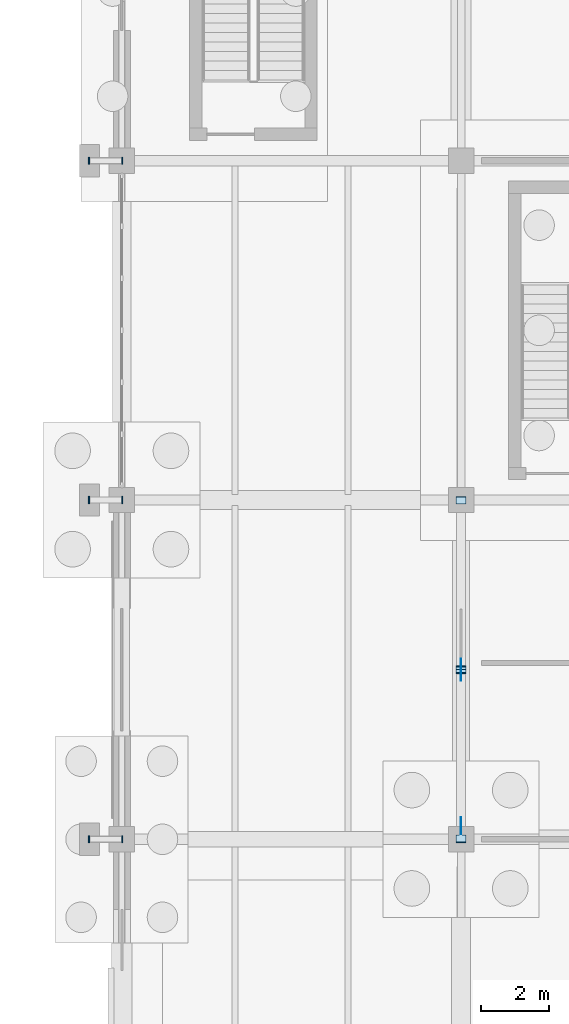
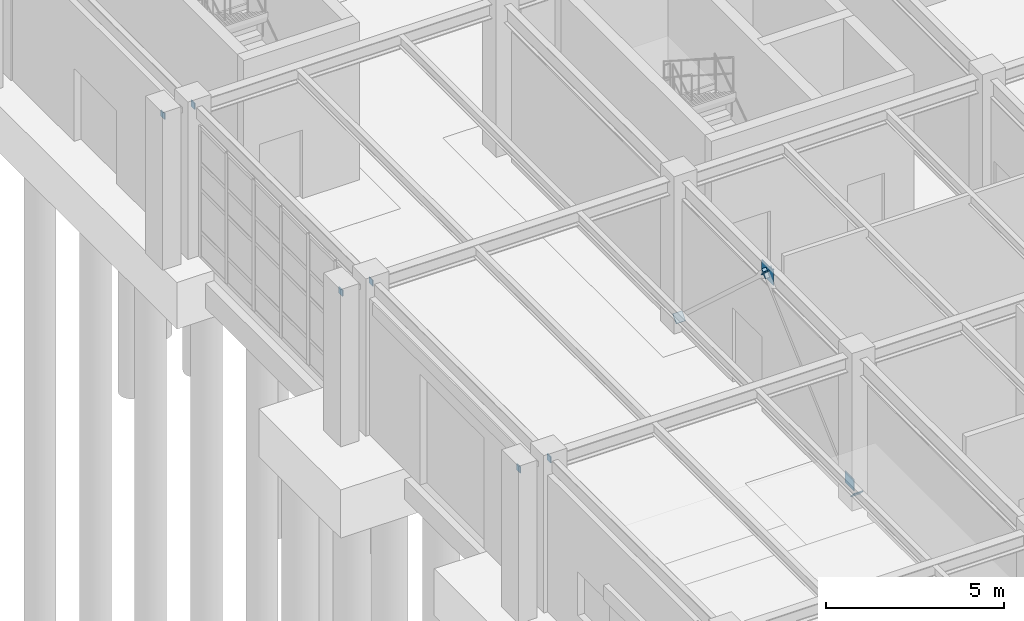
# One storey, part 103 of 145: 12 plates.
"""IFC4 building model written with IfcOpenShell, lengths in metres."""

from ifc_helpers import new_model, si_unit, direction, frame, origin, origin_2d, place, context, subcontext, project, spatial, rectangle, extrude, material, layer, layer_set, type_object, element, save


model = new_model("IFC4")

# Units and contexts
model_context = context("Model", 3, precision=1e-05, world=origin(), true_north=direction((0.0, 1.0)))
body_context = subcontext(model_context, "Body", "Model", "MODEL_VIEW")
ifc_project = project(units=[si_unit("LENGTHUNIT", "METRE"), si_unit("AREAUNIT", "SQUARE_METRE"), si_unit("VOLUMEUNIT", "CUBIC_METRE"), si_unit("PLANEANGLEUNIT", "RADIAN"), si_unit("MASSUNIT", "GRAM", prefix="KILO"), si_unit("THERMODYNAMICTEMPERATUREUNIT", "KELVIN"), si_unit("POWERUNIT", "WATT")], contexts=[model_context])

# Site, building, storey
site_placement = place(None, origin())
site = spatial("IfcSite", under=ifc_project, at=site_placement, CompositionType="ELEMENT")
building_placement = place(site_placement, origin())
building = spatial("IfcBuilding", under=site, at=building_placement, Name="Korenveer Ferry Terminal", CompositionType="ELEMENT")
storey_placement = place(building_placement, origin())
storey = spatial("IfcBuildingStorey", under=building, at=storey_placement, Name="L00", CompositionType="ELEMENT", Elevation=0.0)

# Plates
ifc_material = material(Name="Steel S355", Category="steel")
ifc_layer_1 = layer(ifc_material, 0.031982421875)
ifc_layer_set_1 = layer_set([ifc_layer_1], Name="Steel S355")
plate_type_1 = type_object("IfcPlateType", Name="STR-PLT-CAP32", PredefinedType="USERDEFINED", material=ifc_layer_set_1)
for number, where, z_axis, x_axis, name in (
    (1, (-0.98193359375, 40.0, 4.949951171875), (1.0, 0.0, 0.0), (0.0, 1.0, 0.0), "Hollow section end cap 89"),
    (2, (0.0, 40.0, 4.949951171875), (1.0, 0.0, 0.0), (0.0, 1.0, 0.0), "Hollow section end cap 90"),
    (3, (-0.98193359375, 50.0, 4.949951171875), (1.0, 0.0, 0.0), (0.0, 1.0, 0.0), "Hollow section end cap 95"),
    (4, (0.0, 50.0, 4.949951171875), (1.0, 0.0, 0.0), (0.0, 1.0, 0.0), "Hollow section end cap 96"),
    (5, (-0.98193359375, 60.0, 4.949951171875), (1.0, 0.0, 0.0), (0.0, 1.0, 0.0), "Hollow section end cap 101"),
    (6, (0.0, 60.0, 4.949951171875), (1.0, 0.0, 0.0), (0.0, 1.0, 0.0), "Hollow section end cap 102"),
):
    element("IfcPlate", number, at=place(storey_placement, frame(where, z_axis=z_axis, x_axis=x_axis)), inside=storey, type_object=plate_type_1, Name=name, ObjectType="END CAP PLATE", PredefinedType="USERDEFINED", context=body_context, shape_type="SweptSolid", body=[
        extrude(rectangle(XDim=0.2099609375, YDim=0.2099609375, at=origin_2d()), origin(), (0.0, 0.0, 1.0), 0.031982421875),
    ])
for number, where, z_axis, x_axis, name in (
    (7, (10.0, 39.99658203125, 0.218505859375), (0.0, 0.737522875906, 0.675322150914), (-1.0, 0.0, 0.0), "Hollow section end cap 594"),
    (8, (10.0, 45.0, 4.800048828125), (0.0, 0.737522875906, 0.675322150914), (-1.0, 0.0, 0.0), "Hollow section end cap 595"),
    (9, (10.0, 44.9765625, 4.821533203125), (0.0, 0.737522875906, -0.675322150914), (-1.0, 0.0, 0.0), "Hollow section end cap 596"),
    (10, (10.0, 49.97998046875, 0.239990234375), (0.0, 0.737522875906, -0.675322150914), (-1.0, 0.0, 0.0), "Hollow section end cap 597"),
):
    element("IfcPlate", number, at=place(storey_placement, frame(where, z_axis=z_axis, x_axis=x_axis)), inside=storey, type_object=plate_type_1, Name=name, ObjectType="END CAP PLATE", PredefinedType="USERDEFINED", context=body_context, shape_type="SweptSolid", body=[
        extrude(rectangle(XDim=0.302978515625, YDim=0.302978515625, at=origin_2d()), origin(), (0.0, 0.0, 1.0), 0.031982421875),
    ])
ifc_layer_2 = layer(ifc_material, 0.02392578125)
ifc_layer_set_2 = layer_set([ifc_layer_2], Name="Steel S355")
plate_type_2 = type_object("IfcPlateType", Name="STR-PLT-GUS24", PredefinedType="USERDEFINED", material=ifc_layer_set_2)
plate_1_placement = place(storey_placement, frame((10.0, 45.0, 4.550048828125), z_axis=(0.0, 0.0, 1.0), x_axis=(1.0, 0.0, 0.0)))
element("IfcPlate", 11, at=plate_1_placement, inside=storey, type_object=plate_type_2, Name="Chevron brace apex gusset 11", ObjectType="GUSSET PLATE", PredefinedType="USERDEFINED", context=body_context, shape_type="SweptSolid", body=[
    extrude(rectangle(XDim=0.02392578125, YDim=0.64990234375, at=origin_2d()), origin(), (0.0, 0.0, 1.0), 0.5),
])
plate_2_placement = place(storey_placement, frame((10.0, 40.39990234375, 0.239990234375), z_axis=(0.0, 0.0, 1.0), x_axis=(1.0, 0.0, 0.0)))
element("IfcPlate", 12, at=plate_2_placement, inside=storey, type_object=plate_type_2, Name="Chevron brace base gusset 12", ObjectType="GUSSET PLATE", PredefinedType="USERDEFINED", context=body_context, shape_type="SweptSolid", body=[
    extrude(rectangle(XDim=0.02392578125, YDim=0.5, at=origin_2d()), origin(), (0.0, 0.0, 1.0), 0.39990234375),
])

save(model, "model.ifc")
